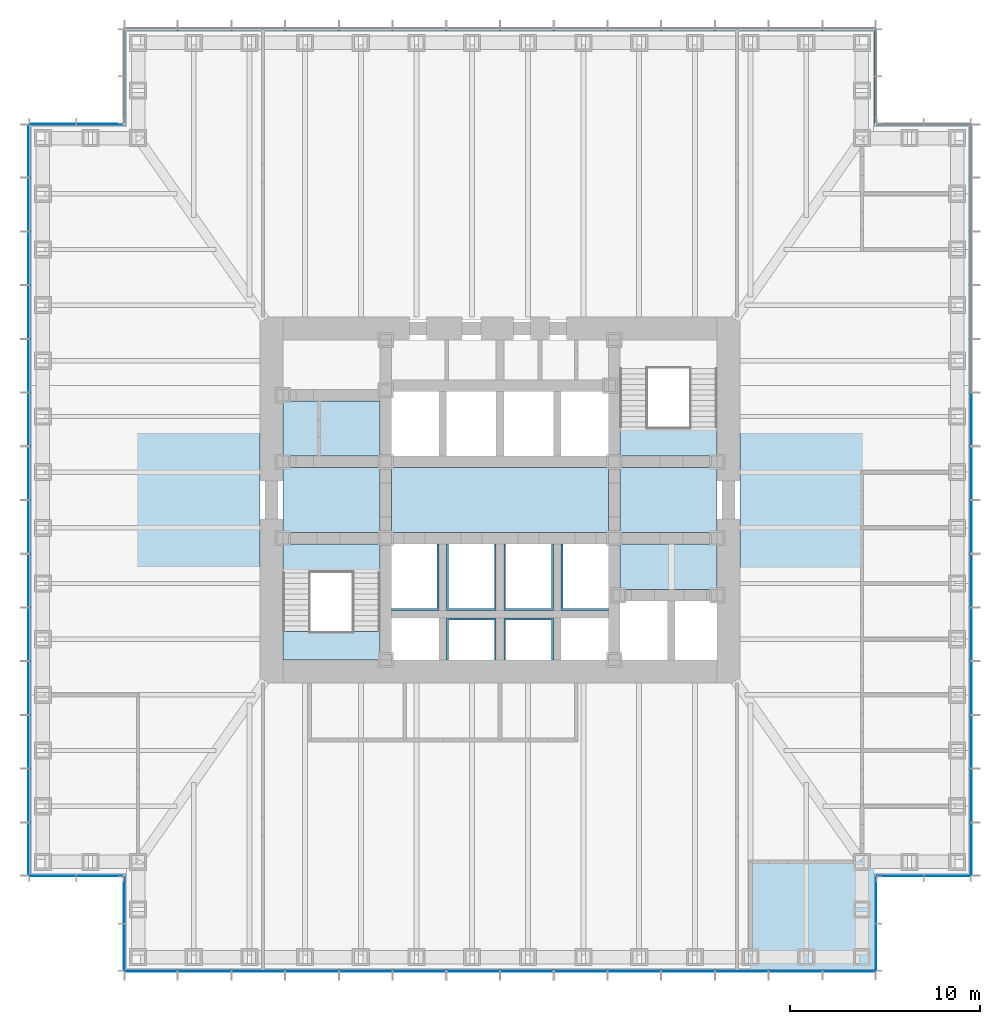
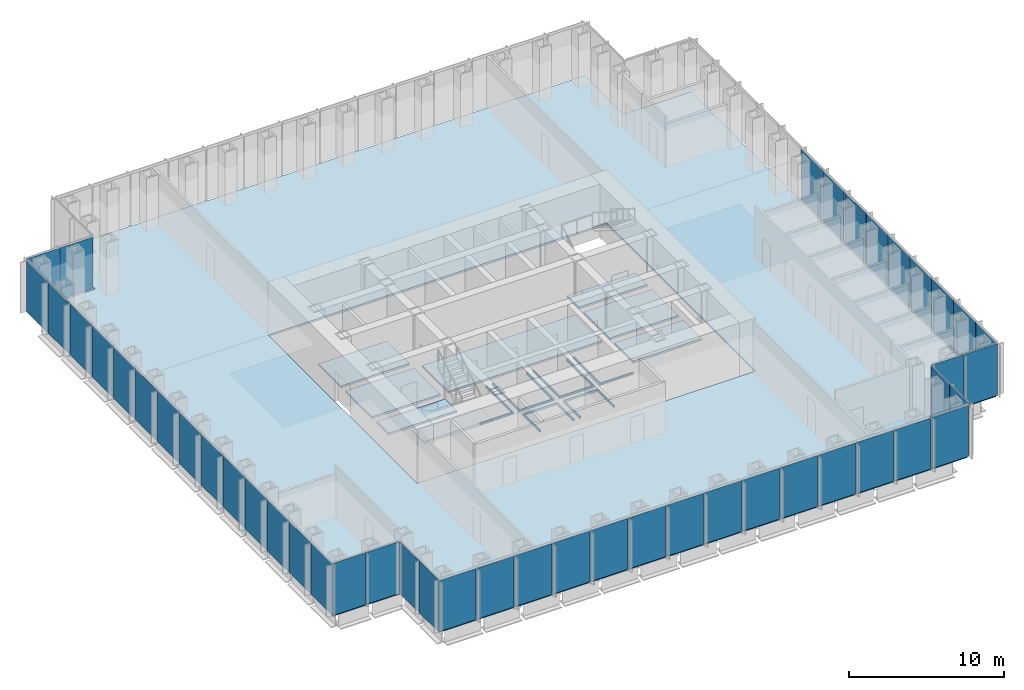
# One storey, part 7 of 16: 47 plates, 15 slabs, 9 elements without a shape of their own.
"""IFC4 building model written with IfcOpenShell, lengths in metres."""

from ifc_helpers import new_model, si_unit, direction, frame, origin, origin_2d, place, context, subcontext, project, spatial, polyline, rectangle, outline, extrude, material, layer, layer_set, type_object, element, aggregate, save


model = new_model("IFC4")

# Units and contexts
model_context = context("Model", 3, precision=1e-05, world=origin(), true_north=direction((0.0, 1.0)))
body_context = subcontext(model_context, "Body", "Model", "MODEL_VIEW")
ifc_project = project(units=[si_unit("LENGTHUNIT", "METRE"), si_unit("AREAUNIT", "SQUARE_METRE"), si_unit("VOLUMEUNIT", "CUBIC_METRE"), si_unit("PLANEANGLEUNIT", "RADIAN"), si_unit("MASSUNIT", "GRAM", prefix="KILO")], contexts=[model_context])

# Site, building, storey
site_placement = place(None, origin())
site = spatial("IfcSite", under=ifc_project, at=site_placement, CompositionType="ELEMENT")
building_placement = place(site_placement, origin())
building = spatial("IfcBuilding", under=site, at=building_placement, Name="Daluyong Arena Tower", CompositionType="ELEMENT")
storey_placement = place(building_placement, frame((0.0, 0.0, 72.699951171875)))
storey = spatial("IfcBuildingStorey", under=building, at=storey_placement, Name="L15", CompositionType="ELEMENT", Elevation=72.699951171875)

# Curtain wall, plates
ifc_material_1 = material(Name="Bronze anodised aluminium and glass", Category="aluminium")
curtain_wall_type_1 = type_object("IfcCurtainWallType", Name="Curtain wall CW1", PredefinedType="USERDEFINED", material=ifc_material_1)
curtain_wall_1_placement = place(storey_placement, origin())
curtain_wall_1 = element("IfcCurtainWall", 1, at=curtain_wall_1_placement, inside=storey, type_object=curtain_wall_type_1, Name="curtain wall L15 S", ObjectType="UNITISED CURTAIN WALL", PredefinedType="USERDEFINED")
ifc_material_2 = material(Name="Tinted double glazed unit", Category="glass")
ifc_layer_1 = layer(ifc_material_2, 0.031982421875)
ifc_layer_set_1 = layer_set([ifc_layer_1], Name="Tinted double glazed unit")
plate_type_1 = type_object("IfcPlateType", Name="CW1 panel 32", PredefinedType="CURTAIN_PANEL", material=ifc_layer_set_1)
plate_1_placement = place(storey_placement, frame((37.6806640625, 55.25, 0.0), z_axis=(0.0, 0.0, 1.0), x_axis=(1.0, 0.0, 0.0)))
plate_1 = element("IfcPlate", 2, at=plate_1_placement, type_object=plate_type_1, Name="curtain wall L15 S panel 1", PredefinedType="CURTAIN_PANEL", context=body_context, shape_type="SweptSolid", body=[
    extrude(rectangle(XDim=2.701416015625, YDim=0.031982421875, at=origin_2d()), origin(), (0.0, 0.0, 1.0), 4.0),
])
plate_2_placement = place(storey_placement, frame((40.482177734375, 55.25, 0.0), z_axis=(0.0, 0.0, 1.0), x_axis=(1.0, 0.0, 0.0)))
plate_2 = element("IfcPlate", 3, at=plate_2_placement, type_object=plate_type_1, Name="curtain wall L15 S panel 2", PredefinedType="CURTAIN_PANEL", context=body_context, shape_type="SweptSolid", body=[
    extrude(rectangle(XDim=2.741455078125, YDim=0.031982421875, at=origin_2d()), origin(), (0.0, 0.0, 1.0), 4.0),
])
plate_3_placement = place(storey_placement, frame((43.303466796875, 55.25, 0.0), z_axis=(0.0, 0.0, 1.0), x_axis=(1.0, 0.0, 0.0)))
plate_3 = element("IfcPlate", 4, at=plate_3_placement, type_object=plate_type_1, Name="curtain wall L15 S panel 3", PredefinedType="CURTAIN_PANEL", context=body_context, shape_type="SweptSolid", body=[
    extrude(rectangle(XDim=2.741455078125, YDim=0.031982421875, at=origin_2d()), origin(), (0.0, 0.0, 1.0), 4.0),
])
plate_4_placement = place(storey_placement, frame((46.125, 55.25, 0.0), z_axis=(0.0, 0.0, 1.0), x_axis=(1.0, 0.0, 0.0)))
plate_4 = element("IfcPlate", 5, at=plate_4_placement, type_object=plate_type_1, Name="curtain wall L15 S panel 4", PredefinedType="CURTAIN_PANEL", context=body_context, shape_type="SweptSolid", body=[
    extrude(rectangle(XDim=2.741455078125, YDim=0.031982421875, at=origin_2d()), origin(), (0.0, 0.0, 1.0), 4.0),
])
plate_5_placement = place(storey_placement, frame((48.946533203125, 55.25, 0.0), z_axis=(0.0, 0.0, 1.0), x_axis=(1.0, 0.0, 0.0)))
plate_5 = element("IfcPlate", 6, at=plate_5_placement, type_object=plate_type_1, Name="curtain wall L15 S panel 5", PredefinedType="CURTAIN_PANEL", context=body_context, shape_type="SweptSolid", body=[
    extrude(rectangle(XDim=2.741455078125, YDim=0.031982421875, at=origin_2d()), origin(), (0.0, 0.0, 1.0), 4.0),
])
plate_6_placement = place(storey_placement, frame((51.767822265625, 55.25, 0.0), z_axis=(0.0, 0.0, 1.0), x_axis=(1.0, 0.0, 0.0)))
plate_6 = element("IfcPlate", 7, at=plate_6_placement, type_object=plate_type_1, Name="curtain wall L15 S panel 6", PredefinedType="CURTAIN_PANEL", context=body_context, shape_type="SweptSolid", body=[
    extrude(rectangle(XDim=2.741455078125, YDim=0.031982421875, at=origin_2d()), origin(), (0.0, 0.0, 1.0), 4.0),
])
plate_7_placement = place(storey_placement, frame((54.58935546875, 55.25, 0.0), z_axis=(0.0, 0.0, 1.0), x_axis=(1.0, 0.0, 0.0)))
plate_7 = element("IfcPlate", 8, at=plate_7_placement, type_object=plate_type_1, Name="curtain wall L15 S panel 7", PredefinedType="CURTAIN_PANEL", context=body_context, shape_type="SweptSolid", body=[
    extrude(rectangle(XDim=2.741455078125, YDim=0.031982421875, at=origin_2d()), origin(), (0.0, 0.0, 1.0), 4.0),
])
plate_8_placement = place(storey_placement, frame((57.41064453125, 55.25, 0.0), z_axis=(0.0, 0.0, 1.0), x_axis=(1.0, 0.0, 0.0)))
plate_8 = element("IfcPlate", 9, at=plate_8_placement, type_object=plate_type_1, Name="curtain wall L15 S panel 8", PredefinedType="CURTAIN_PANEL", context=body_context, shape_type="SweptSolid", body=[
    extrude(rectangle(XDim=2.741455078125, YDim=0.031982421875, at=origin_2d()), origin(), (0.0, 0.0, 1.0), 4.0),
])
plate_9_placement = place(storey_placement, frame((60.232177734375, 55.25, 0.0), z_axis=(0.0, 0.0, 1.0), x_axis=(1.0, 0.0, 0.0)))
plate_9 = element("IfcPlate", 10, at=plate_9_placement, type_object=plate_type_1, Name="curtain wall L15 S panel 9", PredefinedType="CURTAIN_PANEL", context=body_context, shape_type="SweptSolid", body=[
    extrude(rectangle(XDim=2.741455078125, YDim=0.031982421875, at=origin_2d()), origin(), (0.0, 0.0, 1.0), 4.0),
])
plate_10_placement = place(storey_placement, frame((63.053466796875, 55.25, 0.0), z_axis=(0.0, 0.0, 1.0), x_axis=(1.0, 0.0, 0.0)))
plate_10 = element("IfcPlate", 11, at=plate_10_placement, type_object=plate_type_1, Name="curtain wall L15 S panel 10", PredefinedType="CURTAIN_PANEL", context=body_context, shape_type="SweptSolid", body=[
    extrude(rectangle(XDim=2.741455078125, YDim=0.031982421875, at=origin_2d()), origin(), (0.0, 0.0, 1.0), 4.0),
])
plate_11_placement = place(storey_placement, frame((65.875, 55.25, 0.0), z_axis=(0.0, 0.0, 1.0), x_axis=(1.0, 0.0, 0.0)))
plate_11 = element("IfcPlate", 12, at=plate_11_placement, type_object=plate_type_1, Name="curtain wall L15 S panel 11", PredefinedType="CURTAIN_PANEL", context=body_context, shape_type="SweptSolid", body=[
    extrude(rectangle(XDim=2.741455078125, YDim=0.031982421875, at=origin_2d()), origin(), (0.0, 0.0, 1.0), 4.0),
])
plate_12_placement = place(storey_placement, frame((68.696533203125, 55.25, 0.0), z_axis=(0.0, 0.0, 1.0), x_axis=(1.0, 0.0, 0.0)))
plate_12 = element("IfcPlate", 13, at=plate_12_placement, type_object=plate_type_1, Name="curtain wall L15 S panel 12", PredefinedType="CURTAIN_PANEL", context=body_context, shape_type="SweptSolid", body=[
    extrude(rectangle(XDim=2.741455078125, YDim=0.031982421875, at=origin_2d()), origin(), (0.0, 0.0, 1.0), 4.0),
])
plate_13_placement = place(storey_placement, frame((71.517822265625, 55.25, 0.0), z_axis=(0.0, 0.0, 1.0), x_axis=(1.0, 0.0, 0.0)))
plate_13 = element("IfcPlate", 14, at=plate_13_placement, type_object=plate_type_1, Name="curtain wall L15 S panel 13", PredefinedType="CURTAIN_PANEL", context=body_context, shape_type="SweptSolid", body=[
    extrude(rectangle(XDim=2.741455078125, YDim=0.031982421875, at=origin_2d()), origin(), (0.0, 0.0, 1.0), 4.0),
])
plate_14_placement = place(storey_placement, frame((74.3193359375, 55.25, 0.0), z_axis=(0.0, 0.0, 1.0), x_axis=(1.0, 0.0, 0.0)))
plate_14 = element("IfcPlate", 15, at=plate_14_placement, type_object=plate_type_1, Name="curtain wall L15 S panel 14", PredefinedType="CURTAIN_PANEL", context=body_context, shape_type="SweptSolid", body=[
    extrude(rectangle(XDim=2.701416015625, YDim=0.031982421875, at=origin_2d()), origin(), (0.0, 0.0, 1.0), 4.0),
])
aggregate(curtain_wall_1, [plate_1, plate_2, plate_3, plate_4, plate_5, plate_6, plate_7, plate_8, plate_9, plate_10, plate_11, plate_12, plate_13, plate_14])

curtain_wall_2_placement = place(storey_placement, origin())
curtain_wall_2 = element("IfcCurtainWall", 16, at=curtain_wall_2_placement, inside=storey, type_object=curtain_wall_type_1, Name="curtain wall L15 E", ObjectType="UNITISED CURTAIN WALL", PredefinedType="USERDEFINED")
plate_15_placement = place(storey_placement, frame((80.75, 61.6806640625, 0.0), z_axis=(0.0, 0.0, 1.0), x_axis=(0.0, 1.0, 0.0)))
plate_15 = element("IfcPlate", 17, at=plate_15_placement, type_object=plate_type_1, Name="curtain wall L15 E panel 1", PredefinedType="CURTAIN_PANEL", context=body_context, shape_type="SweptSolid", body=[
    extrude(rectangle(XDim=2.701416015625, YDim=0.031982421875, at=origin_2d()), origin(), (0.0, 0.0, 1.0), 4.0),
])
plate_16_placement = place(storey_placement, frame((80.75, 64.482177734375, 0.0), z_axis=(0.0, 0.0, 1.0), x_axis=(0.0, 1.0, 0.0)))
plate_16 = element("IfcPlate", 18, at=plate_16_placement, type_object=plate_type_1, Name="curtain wall L15 E panel 2", PredefinedType="CURTAIN_PANEL", context=body_context, shape_type="SweptSolid", body=[
    extrude(rectangle(XDim=2.741455078125, YDim=0.031982421875, at=origin_2d()), origin(), (0.0, 0.0, 1.0), 4.0),
])
plate_17_placement = place(storey_placement, frame((80.75, 67.303466796875, 0.0), z_axis=(0.0, 0.0, 1.0), x_axis=(0.0, 1.0, 0.0)))
plate_17 = element("IfcPlate", 19, at=plate_17_placement, type_object=plate_type_1, Name="curtain wall L15 E panel 3", PredefinedType="CURTAIN_PANEL", context=body_context, shape_type="SweptSolid", body=[
    extrude(rectangle(XDim=2.741455078125, YDim=0.031982421875, at=origin_2d()), origin(), (0.0, 0.0, 1.0), 4.0),
])
plate_18_placement = place(storey_placement, frame((80.75, 70.125, 0.0), z_axis=(0.0, 0.0, 1.0), x_axis=(0.0, 1.0, 0.0)))
plate_18 = element("IfcPlate", 20, at=plate_18_placement, type_object=plate_type_1, Name="curtain wall L15 E panel 4", PredefinedType="CURTAIN_PANEL", context=body_context, shape_type="SweptSolid", body=[
    extrude(rectangle(XDim=2.741455078125, YDim=0.031982421875, at=origin_2d()), origin(), (0.0, 0.0, 1.0), 4.0),
])
plate_19_placement = place(storey_placement, frame((80.75, 72.946533203125, 0.0), z_axis=(0.0, 0.0, 1.0), x_axis=(0.0, 1.0, 0.0)))
plate_19 = element("IfcPlate", 21, at=plate_19_placement, type_object=plate_type_1, Name="curtain wall L15 E panel 5", PredefinedType="CURTAIN_PANEL", context=body_context, shape_type="SweptSolid", body=[
    extrude(rectangle(XDim=2.741455078125, YDim=0.031982421875, at=origin_2d()), origin(), (0.0, 0.0, 1.0), 4.0),
])
plate_20_placement = place(storey_placement, frame((80.75, 75.767822265625, 0.0), z_axis=(0.0, 0.0, 1.0), x_axis=(0.0, 1.0, 0.0)))
plate_20 = element("IfcPlate", 22, at=plate_20_placement, type_object=plate_type_1, Name="curtain wall L15 E panel 6", PredefinedType="CURTAIN_PANEL", context=body_context, shape_type="SweptSolid", body=[
    extrude(rectangle(XDim=2.741455078125, YDim=0.031982421875, at=origin_2d()), origin(), (0.0, 0.0, 1.0), 4.0),
])
plate_21_placement = place(storey_placement, frame((80.75, 78.58935546875, 0.0), z_axis=(0.0, 0.0, 1.0), x_axis=(0.0, 1.0, 0.0)))
plate_21 = element("IfcPlate", 23, at=plate_21_placement, type_object=plate_type_1, Name="curtain wall L15 E panel 7", PredefinedType="CURTAIN_PANEL", context=body_context, shape_type="SweptSolid", body=[
    extrude(rectangle(XDim=2.741455078125, YDim=0.031982421875, at=origin_2d()), origin(), (0.0, 0.0, 1.0), 4.0),
])
plate_22_placement = place(storey_placement, frame((80.75, 81.41064453125, 0.0), z_axis=(0.0, 0.0, 1.0), x_axis=(0.0, 1.0, 0.0)))
plate_22 = element("IfcPlate", 24, at=plate_22_placement, type_object=plate_type_1, Name="curtain wall L15 E panel 8", PredefinedType="CURTAIN_PANEL", context=body_context, shape_type="SweptSolid", body=[
    extrude(rectangle(XDim=2.741455078125, YDim=0.031982421875, at=origin_2d()), origin(), (0.0, 0.0, 1.0), 4.0),
])
plate_23_placement = place(storey_placement, frame((80.75, 84.232177734375, 0.0), z_axis=(0.0, 0.0, 1.0), x_axis=(0.0, 1.0, 0.0)))
plate_23 = element("IfcPlate", 25, at=plate_23_placement, type_object=plate_type_1, Name="curtain wall L15 E panel 9", PredefinedType="CURTAIN_PANEL", context=body_context, shape_type="SweptSolid", body=[
    extrude(rectangle(XDim=2.741455078125, YDim=0.031982421875, at=origin_2d()), origin(), (0.0, 0.0, 1.0), 4.0),
])
aggregate(curtain_wall_2, [plate_15, plate_16, plate_17, plate_18, plate_19, plate_20, plate_21, plate_22, plate_23])

curtain_wall_3_placement = place(storey_placement, origin())
curtain_wall_3 = element("IfcCurtainWall", 26, at=curtain_wall_3_placement, inside=storey, type_object=curtain_wall_type_1, Name="curtain wall L15 W", ObjectType="UNITISED CURTAIN WALL", PredefinedType="USERDEFINED")
plate_24_placement = place(storey_placement, frame((31.25, 98.3193359375, 0.0), z_axis=(0.0, 0.0, 1.0), x_axis=(0.0, -1.0, 0.0)))
plate_24 = element("IfcPlate", 27, at=plate_24_placement, type_object=plate_type_1, Name="curtain wall L15 W panel 1", PredefinedType="CURTAIN_PANEL", context=body_context, shape_type="SweptSolid", body=[
    extrude(rectangle(XDim=2.701416015625, YDim=0.031982421875, at=origin_2d()), origin(), (0.0, 0.0, 1.0), 4.0),
])
plate_25_placement = place(storey_placement, frame((31.25, 95.517822265625, 0.0), z_axis=(0.0, 0.0, 1.0), x_axis=(0.0, -1.0, 0.0)))
plate_25 = element("IfcPlate", 28, at=plate_25_placement, type_object=plate_type_1, Name="curtain wall L15 W panel 2", PredefinedType="CURTAIN_PANEL", context=body_context, shape_type="SweptSolid", body=[
    extrude(rectangle(XDim=2.741455078125, YDim=0.031982421875, at=origin_2d()), origin(), (0.0, 0.0, 1.0), 4.0),
])
plate_26_placement = place(storey_placement, frame((31.25, 92.696533203125, 0.0), z_axis=(0.0, 0.0, 1.0), x_axis=(0.0, -1.0, 0.0)))
plate_26 = element("IfcPlate", 29, at=plate_26_placement, type_object=plate_type_1, Name="curtain wall L15 W panel 3", PredefinedType="CURTAIN_PANEL", context=body_context, shape_type="SweptSolid", body=[
    extrude(rectangle(XDim=2.741455078125, YDim=0.031982421875, at=origin_2d()), origin(), (0.0, 0.0, 1.0), 4.0),
])
plate_27_placement = place(storey_placement, frame((31.25, 89.875, 0.0), z_axis=(0.0, 0.0, 1.0), x_axis=(0.0, -1.0, 0.0)))
plate_27 = element("IfcPlate", 30, at=plate_27_placement, type_object=plate_type_1, Name="curtain wall L15 W panel 4", PredefinedType="CURTAIN_PANEL", context=body_context, shape_type="SweptSolid", body=[
    extrude(rectangle(XDim=2.741455078125, YDim=0.031982421875, at=origin_2d()), origin(), (0.0, 0.0, 1.0), 4.0),
])
plate_28_placement = place(storey_placement, frame((31.25, 87.053466796875, 0.0), z_axis=(0.0, 0.0, 1.0), x_axis=(0.0, -1.0, 0.0)))
plate_28 = element("IfcPlate", 31, at=plate_28_placement, type_object=plate_type_1, Name="curtain wall L15 W panel 5", PredefinedType="CURTAIN_PANEL", context=body_context, shape_type="SweptSolid", body=[
    extrude(rectangle(XDim=2.741455078125, YDim=0.031982421875, at=origin_2d()), origin(), (0.0, 0.0, 1.0), 4.0),
])
plate_29_placement = place(storey_placement, frame((31.25, 84.232177734375, 0.0), z_axis=(0.0, 0.0, 1.0), x_axis=(0.0, -1.0, 0.0)))
plate_29 = element("IfcPlate", 32, at=plate_29_placement, type_object=plate_type_1, Name="curtain wall L15 W panel 6", PredefinedType="CURTAIN_PANEL", context=body_context, shape_type="SweptSolid", body=[
    extrude(rectangle(XDim=2.741455078125, YDim=0.031982421875, at=origin_2d()), origin(), (0.0, 0.0, 1.0), 4.0),
])
plate_30_placement = place(storey_placement, frame((31.25, 81.41064453125, 0.0), z_axis=(0.0, 0.0, 1.0), x_axis=(0.0, -1.0, 0.0)))
plate_30 = element("IfcPlate", 33, at=plate_30_placement, type_object=plate_type_1, Name="curtain wall L15 W panel 7", PredefinedType="CURTAIN_PANEL", context=body_context, shape_type="SweptSolid", body=[
    extrude(rectangle(XDim=2.741455078125, YDim=0.031982421875, at=origin_2d()), origin(), (0.0, 0.0, 1.0), 4.0),
])
plate_31_placement = place(storey_placement, frame((31.25, 78.58935546875, 0.0), z_axis=(0.0, 0.0, 1.0), x_axis=(0.0, -1.0, 0.0)))
plate_31 = element("IfcPlate", 34, at=plate_31_placement, type_object=plate_type_1, Name="curtain wall L15 W panel 8", PredefinedType="CURTAIN_PANEL", context=body_context, shape_type="SweptSolid", body=[
    extrude(rectangle(XDim=2.741455078125, YDim=0.031982421875, at=origin_2d()), origin(), (0.0, 0.0, 1.0), 4.0),
])
plate_32_placement = place(storey_placement, frame((31.25, 75.767822265625, 0.0), z_axis=(0.0, 0.0, 1.0), x_axis=(0.0, -1.0, 0.0)))
plate_32 = element("IfcPlate", 35, at=plate_32_placement, type_object=plate_type_1, Name="curtain wall L15 W panel 9", PredefinedType="CURTAIN_PANEL", context=body_context, shape_type="SweptSolid", body=[
    extrude(rectangle(XDim=2.741455078125, YDim=0.031982421875, at=origin_2d()), origin(), (0.0, 0.0, 1.0), 4.0),
])
plate_33_placement = place(storey_placement, frame((31.25, 72.946533203125, 0.0), z_axis=(0.0, 0.0, 1.0), x_axis=(0.0, -1.0, 0.0)))
plate_33 = element("IfcPlate", 36, at=plate_33_placement, type_object=plate_type_1, Name="curtain wall L15 W panel 10", PredefinedType="CURTAIN_PANEL", context=body_context, shape_type="SweptSolid", body=[
    extrude(rectangle(XDim=2.741455078125, YDim=0.031982421875, at=origin_2d()), origin(), (0.0, 0.0, 1.0), 4.0),
])
plate_34_placement = place(storey_placement, frame((31.25, 70.125, 0.0), z_axis=(0.0, 0.0, 1.0), x_axis=(0.0, -1.0, 0.0)))
plate_34 = element("IfcPlate", 37, at=plate_34_placement, type_object=plate_type_1, Name="curtain wall L15 W panel 11", PredefinedType="CURTAIN_PANEL", context=body_context, shape_type="SweptSolid", body=[
    extrude(rectangle(XDim=2.741455078125, YDim=0.031982421875, at=origin_2d()), origin(), (0.0, 0.0, 1.0), 4.0),
])
plate_35_placement = place(storey_placement, frame((31.25, 67.303466796875, 0.0), z_axis=(0.0, 0.0, 1.0), x_axis=(0.0, -1.0, 0.0)))
plate_35 = element("IfcPlate", 38, at=plate_35_placement, type_object=plate_type_1, Name="curtain wall L15 W panel 12", PredefinedType="CURTAIN_PANEL", context=body_context, shape_type="SweptSolid", body=[
    extrude(rectangle(XDim=2.741455078125, YDim=0.031982421875, at=origin_2d()), origin(), (0.0, 0.0, 1.0), 4.0),
])
plate_36_placement = place(storey_placement, frame((31.25, 64.482177734375, 0.0), z_axis=(0.0, 0.0, 1.0), x_axis=(0.0, -1.0, 0.0)))
plate_36 = element("IfcPlate", 39, at=plate_36_placement, type_object=plate_type_1, Name="curtain wall L15 W panel 13", PredefinedType="CURTAIN_PANEL", context=body_context, shape_type="SweptSolid", body=[
    extrude(rectangle(XDim=2.741455078125, YDim=0.031982421875, at=origin_2d()), origin(), (0.0, 0.0, 1.0), 4.0),
])
plate_37_placement = place(storey_placement, frame((31.25, 61.6806640625, 0.0), z_axis=(0.0, 0.0, 1.0), x_axis=(0.0, -1.0, 0.0)))
plate_37 = element("IfcPlate", 40, at=plate_37_placement, type_object=plate_type_1, Name="curtain wall L15 W panel 14", PredefinedType="CURTAIN_PANEL", context=body_context, shape_type="SweptSolid", body=[
    extrude(rectangle(XDim=2.701416015625, YDim=0.031982421875, at=origin_2d()), origin(), (0.0, 0.0, 1.0), 4.0),
])
aggregate(curtain_wall_3, [plate_24, plate_25, plate_26, plate_27, plate_28, plate_29, plate_30, plate_31, plate_32, plate_33, plate_34, plate_35, plate_36, plate_37])

ifc_material_3 = material(Name="Bronze anodised aluminium and glass", Category="aluminium")
curtain_wall_type_2 = type_object("IfcCurtainWallType", Name="Curtain wall CW7", PredefinedType="USERDEFINED", material=ifc_material_3)
curtain_wall_4_placement = place(storey_placement, origin())
curtain_wall_4 = element("IfcCurtainWall", 41, at=curtain_wall_4_placement, inside=storey, type_object=curtain_wall_type_2, Name="curtain wall L15 SE-E", ObjectType="UNITISED CURTAIN WALL", PredefinedType="USERDEFINED")
ifc_material_4 = material(Name="Tinted double glazed unit", Category="glass")
ifc_layer_2 = layer(ifc_material_4, 0.028076171875)
ifc_layer_set_2 = layer_set([ifc_layer_2], Name="Tinted double glazed unit")
plate_type_2 = type_object("IfcPlateType", Name="CW7 panel 28", PredefinedType="CURTAIN_PANEL", material=ifc_layer_set_2)
plate_38_placement = place(storey_placement, frame((75.75, 56.514892578125, 0.0), z_axis=(0.0, 0.0, 1.0), x_axis=(0.0, 1.0, 0.0)))
plate_38 = element("IfcPlate", 42, at=plate_38_placement, type_object=plate_type_2, Name="curtain wall L15 SE-E panel 1", PredefinedType="CURTAIN_PANEL", context=body_context, shape_type="SweptSolid", body=[
    extrude(rectangle(XDim=2.409912109375, YDim=0.028076171875, at=origin_2d()), origin(), (0.0, 0.0, 1.0), 4.080078125),
])
plate_39_placement = place(storey_placement, frame((75.75, 58.985107421875, 0.0), z_axis=(0.0, 0.0, 1.0), x_axis=(0.0, 1.0, 0.0)))
plate_39 = element("IfcPlate", 43, at=plate_39_placement, type_object=plate_type_2, Name="curtain wall L15 SE-E panel 2", PredefinedType="CURTAIN_PANEL", context=body_context, shape_type="SweptSolid", body=[
    extrude(rectangle(XDim=2.409912109375, YDim=0.028076171875, at=origin_2d()), origin(), (0.0, 0.0, 1.0), 4.080078125),
])
aggregate(curtain_wall_4, [plate_38, plate_39])

curtain_wall_5_placement = place(storey_placement, origin())
curtain_wall_5 = element("IfcCurtainWall", 44, at=curtain_wall_5_placement, inside=storey, type_object=curtain_wall_type_2, Name="curtain wall L15 SE-S", ObjectType="UNITISED CURTAIN WALL", PredefinedType="USERDEFINED")
plate_40_placement = place(storey_placement, frame((77.014892578125, 60.25, 0.0), z_axis=(0.0, 0.0, 1.0), x_axis=(1.0, 0.0, 0.0)))
plate_40 = element("IfcPlate", 45, at=plate_40_placement, type_object=plate_type_2, Name="curtain wall L15 SE-S panel 1", PredefinedType="CURTAIN_PANEL", context=body_context, shape_type="SweptSolid", body=[
    extrude(rectangle(XDim=2.409912109375, YDim=0.028076171875, at=origin_2d()), origin(), (0.0, 0.0, 1.0), 4.080078125),
])
plate_41_placement = place(storey_placement, frame((79.485107421875, 60.25, 0.0), z_axis=(0.0, 0.0, 1.0), x_axis=(1.0, 0.0, 0.0)))
plate_41 = element("IfcPlate", 46, at=plate_41_placement, type_object=plate_type_2, Name="curtain wall L15 SE-S panel 2", PredefinedType="CURTAIN_PANEL", context=body_context, shape_type="SweptSolid", body=[
    extrude(rectangle(XDim=2.409912109375, YDim=0.028076171875, at=origin_2d()), origin(), (0.0, 0.0, 1.0), 4.080078125),
])
aggregate(curtain_wall_5, [plate_40, plate_41])

curtain_wall_6_placement = place(storey_placement, origin())
curtain_wall_6 = element("IfcCurtainWall", 47, at=curtain_wall_6_placement, inside=storey, type_object=curtain_wall_type_2, Name="curtain wall L15 NW-N", ObjectType="UNITISED CURTAIN WALL", PredefinedType="USERDEFINED")
plate_42_placement = place(storey_placement, frame((34.985107421875, 99.75, 0.0), z_axis=(0.0, 0.0, 1.0), x_axis=(-1.0, 0.0, 0.0)))
plate_42 = element("IfcPlate", 48, at=plate_42_placement, type_object=plate_type_2, Name="curtain wall L15 NW-N panel 1", PredefinedType="CURTAIN_PANEL", context=body_context, shape_type="SweptSolid", body=[
    extrude(rectangle(XDim=2.409912109375, YDim=0.028076171875, at=origin_2d()), origin(), (0.0, 0.0, 1.0), 4.080078125),
])
plate_43_placement = place(storey_placement, frame((32.514892578125, 99.75, 0.0), z_axis=(0.0, 0.0, 1.0), x_axis=(-1.0, 0.0, 0.0)))
plate_43 = element("IfcPlate", 49, at=plate_43_placement, type_object=plate_type_2, Name="curtain wall L15 NW-N panel 2", PredefinedType="CURTAIN_PANEL", context=body_context, shape_type="SweptSolid", body=[
    extrude(rectangle(XDim=2.409912109375, YDim=0.028076171875, at=origin_2d()), origin(), (0.0, 0.0, 1.0), 4.080078125),
])
aggregate(curtain_wall_6, [plate_42, plate_43])

curtain_wall_7_placement = place(storey_placement, origin())
curtain_wall_7 = element("IfcCurtainWall", 50, at=curtain_wall_7_placement, inside=storey, type_object=curtain_wall_type_2, Name="curtain wall L15 SW-S", ObjectType="UNITISED CURTAIN WALL", PredefinedType="USERDEFINED")
plate_44_placement = place(storey_placement, frame((32.514892578125, 60.25, 0.0), z_axis=(0.0, 0.0, 1.0), x_axis=(1.0, 0.0, 0.0)))
plate_44 = element("IfcPlate", 51, at=plate_44_placement, type_object=plate_type_2, Name="curtain wall L15 SW-S panel 1", PredefinedType="CURTAIN_PANEL", context=body_context, shape_type="SweptSolid", body=[
    extrude(rectangle(XDim=2.409912109375, YDim=0.028076171875, at=origin_2d()), origin(), (0.0, 0.0, 1.0), 4.080078125),
])
plate_45_placement = place(storey_placement, frame((34.985107421875, 60.25, 0.0), z_axis=(0.0, 0.0, 1.0), x_axis=(1.0, 0.0, 0.0)))
plate_45 = element("IfcPlate", 52, at=plate_45_placement, type_object=plate_type_2, Name="curtain wall L15 SW-S panel 2", PredefinedType="CURTAIN_PANEL", context=body_context, shape_type="SweptSolid", body=[
    extrude(rectangle(XDim=2.409912109375, YDim=0.028076171875, at=origin_2d()), origin(), (0.0, 0.0, 1.0), 4.080078125),
])
aggregate(curtain_wall_7, [plate_44, plate_45])

curtain_wall_8_placement = place(storey_placement, origin())
curtain_wall_8 = element("IfcCurtainWall", 53, at=curtain_wall_8_placement, inside=storey, type_object=curtain_wall_type_2, Name="curtain wall L15 SW-W", ObjectType="UNITISED CURTAIN WALL", PredefinedType="USERDEFINED")
plate_46_placement = place(storey_placement, frame((36.25, 58.985107421875, 0.0), z_axis=(0.0, 0.0, 1.0), x_axis=(0.0, -1.0, 0.0)))
plate_46 = element("IfcPlate", 54, at=plate_46_placement, type_object=plate_type_2, Name="curtain wall L15 SW-W panel 1", PredefinedType="CURTAIN_PANEL", context=body_context, shape_type="SweptSolid", body=[
    extrude(rectangle(XDim=2.409912109375, YDim=0.028076171875, at=origin_2d()), origin(), (0.0, 0.0, 1.0), 4.080078125),
])
plate_47_placement = place(storey_placement, frame((36.25, 56.514892578125, 0.0), z_axis=(0.0, 0.0, 1.0), x_axis=(0.0, -1.0, 0.0)))
plate_47 = element("IfcPlate", 55, at=plate_47_placement, type_object=plate_type_2, Name="curtain wall L15 SW-W panel 2", PredefinedType="CURTAIN_PANEL", context=body_context, shape_type="SweptSolid", body=[
    extrude(rectangle(XDim=2.409912109375, YDim=0.028076171875, at=origin_2d()), origin(), (0.0, 0.0, 1.0), 4.080078125),
])
aggregate(curtain_wall_8, [plate_46, plate_47])

# Stair, slab
ifc_material_5 = material(Name="Concrete fc' 35 MPa", Category="concrete")
stair_type = type_object("IfcStairType", Name="Core exit stair", PredefinedType="HALF_TURN_STAIR", material=ifc_material_5)
stair_placement = place(storey_placement, origin())
stair = element("IfcStair", 56, at=stair_placement, inside=storey, type_object=stair_type, Name="exit stair A L15", PredefinedType="HALF_TURN_STAIR")
ifc_material_6 = material(Name="Concrete fc' 35 MPa", Category="concrete")
ifc_layer_3 = layer(ifc_material_6, 0.199951171875)
ifc_layer_set_3 = layer_set([ifc_layer_3], Name="Concrete fc' 35 MPa")
slab_type_1 = type_object("IfcSlabType", Name="Stair landing 200", PredefinedType="LANDING", material=ifc_layer_set_3)
slab_1_placement = place(storey_placement, frame((0.0, 0.0, 1.900146484375)))
slab_1 = element("IfcSlab", 57, at=slab_1_placement, type_object=slab_type_1, Name="STA landing 1", PredefinedType="LANDING", context=body_context, shape_type="SweptSolid", body=[
    extrude(outline(polyline([(44.60009765625, 71.60009765625), (49.699951171875, 71.60009765625), (49.699951171875, 73.094970703125), (44.60009765625, 73.094970703125), (44.60009765625, 71.60009765625)])), origin(), (0.0, 0.0, 1.0), 0.199951171875),
])
aggregate(stair, [slab_1])

# Slabs
ifc_material_7 = material(Name="Concrete fc' 35 MPa", Category="concrete")
ifc_layer_4 = layer(ifc_material_7, 0.159912109375)
ifc_layer_set_4 = layer_set([ifc_layer_4], Name="Concrete fc' 35 MPa")
slab_type_2 = type_object("IfcSlabType", Name="Tower floor slab 160", PredefinedType="FLOOR", material=ifc_layer_set_4)
slab_2_placement = place(storey_placement, frame((0.0, 0.0, -0.159912109375)))
element("IfcSlab", 58, at=slab_2_placement, inside=storey, type_object=slab_type_2, Name="floor L15 part 1", PredefinedType="FLOOR", context=body_context, shape_type="SweptSolid", body=[
    extrude(outline(polyline([(49.699951171875, 76.175048828125), (49.699951171875, 77.699951171875), (44.60009765625, 77.699951171875), (44.60009765625, 76.175048828125), (49.699951171875, 76.175048828125)])), origin(), (0.0, 0.0, 1.0), 0.159912109375),
])
slab_3_placement = place(storey_placement, frame((0.0, 0.0, -0.159912109375)))
element("IfcSlab", 59, at=slab_3_placement, inside=storey, type_object=slab_type_2, Name="floor L15 part 2", PredefinedType="FLOOR", context=body_context, shape_type="SweptSolid", body=[
    extrude(outline(polyline([(49.699951171875, 78.300048828125), (49.699951171875, 81.699951171875), (44.60009765625, 81.699951171875), (44.60009765625, 78.300048828125), (49.699951171875, 78.300048828125)])), origin(), (0.0, 0.0, 1.0), 0.159912109375),
])
slab_4_placement = place(storey_placement, frame((0.0, 0.0, -0.159912109375)))
element("IfcSlab", 60, at=slab_4_placement, inside=storey, type_object=slab_type_2, Name="floor L15 part 3", PredefinedType="FLOOR", context=body_context, shape_type="SweptSolid", body=[
    extrude(outline(polyline([(49.699951171875, 82.300048828125), (49.699951171875, 85.199951171875), (44.60009765625, 85.199951171875), (44.60009765625, 82.300048828125), (49.699951171875, 82.300048828125)])), origin(), (0.0, 0.0, 1.0), 0.159912109375),
])
slab_5_placement = place(storey_placement, frame((0.0, 0.0, -0.159912109375)))
element("IfcSlab", 61, at=slab_5_placement, inside=storey, type_object=slab_type_2, Name="floor L15 part 5", PredefinedType="FLOOR", context=body_context, shape_type="SweptSolid", body=[
    extrude(outline(polyline([(50.300048828125, 74.300048828125), (50.300048828125, 74.199951171875), (52.800048828125, 74.199951171875), (52.800048828125, 77.699951171875), (52.699951171875, 77.699951171875), (52.699951171875, 74.300048828125), (50.300048828125, 74.300048828125)])), origin(), (0.0, 0.0, 1.0), 0.159912109375),
])
slab_6_placement = place(storey_placement, frame((0.0, 0.0, -0.159912109375)))
element("IfcSlab", 62, at=slab_6_placement, inside=storey, type_object=slab_type_2, Name="floor L15 part 7", PredefinedType="FLOOR", context=body_context, shape_type="SweptSolid", body=[
    extrude(outline(polyline([(55.699951171875, 73.699951171875), (55.699951171875, 71.60009765625), (55.800048828125, 71.60009765625), (55.800048828125, 73.800048828125), (53.199951171875, 73.800048828125), (53.199951171875, 71.60009765625), (53.300048828125, 71.60009765625), (53.300048828125, 73.699951171875), (55.699951171875, 73.699951171875)])), origin(), (0.0, 0.0, 1.0), 0.159912109375),
])
slab_7_placement = place(storey_placement, frame((0.0, 0.0, -0.159912109375)))
element("IfcSlab", 63, at=slab_7_placement, inside=storey, type_object=slab_type_2, Name="floor L15 part 8", PredefinedType="FLOOR", context=body_context, shape_type="SweptSolid", body=[
    extrude(outline(polyline([(53.199951171875, 77.699951171875), (53.199951171875, 74.199951171875), (55.800048828125, 74.199951171875), (55.800048828125, 77.699951171875), (55.699951171875, 77.699951171875), (55.699951171875, 74.300048828125), (53.300048828125, 74.300048828125), (53.300048828125, 77.699951171875), (53.199951171875, 77.699951171875)])), origin(), (0.0, 0.0, 1.0), 0.159912109375),
])
slab_8_placement = place(storey_placement, frame((0.0, 0.0, -0.159912109375)))
element("IfcSlab", 64, at=slab_8_placement, inside=storey, type_object=slab_type_2, Name="floor L15 part 9", PredefinedType="FLOOR", context=body_context, shape_type="SweptSolid", body=[
    extrude(outline(polyline([(36.35009765625, 60.35009765625), (36.35009765625, 55.35009765625), (75.64990234375, 55.35009765625), (75.64990234375, 60.35009765625), (80.64990234375, 60.35009765625), (80.64990234375, 99.64990234375), (75.64990234375, 99.64990234375), (75.64990234375, 104.64990234375), (36.35009765625, 104.64990234375), (36.35009765625, 99.64990234375), (31.35009765625, 99.64990234375), (31.35009765625, 60.35009765625), (36.35009765625, 60.35009765625)]), holes=[polyline([(68.60009765625, 89.60009765625), (68.60009765625, 70.39990234375), (43.39990234375, 70.39990234375), (43.39990234375, 89.60009765625), (68.60009765625, 89.60009765625)])]), origin(), (0.0, 0.0, 1.0), 0.159912109375),
])
slab_9_placement = place(storey_placement, frame((0.0, 0.0, -0.159912109375)))
element("IfcSlab", 65, at=slab_9_placement, inside=storey, type_object=slab_type_2, Name="floor L15 part 10", PredefinedType="FLOOR", context=body_context, shape_type="SweptSolid", body=[
    extrude(outline(polyline([(61.699951171875, 81.699951171875), (50.300048828125, 81.699951171875), (50.300048828125, 78.300048828125), (61.699951171875, 78.300048828125), (61.699951171875, 81.699951171875)])), origin(), (0.0, 0.0, 1.0), 0.159912109375),
])
slab_10_placement = place(storey_placement, frame((0.0, 0.0, -0.159912109375)))
element("IfcSlab", 66, at=slab_10_placement, inside=storey, type_object=slab_type_2, Name="floor L15 part 11", PredefinedType="FLOOR", context=body_context, shape_type="SweptSolid", body=[
    extrude(outline(polyline([(58.699951171875, 73.699951171875), (58.699951171875, 71.60009765625), (58.800048828125, 71.60009765625), (58.800048828125, 73.800048828125), (56.199951171875, 73.800048828125), (56.199951171875, 71.60009765625), (56.300048828125, 71.60009765625), (56.300048828125, 73.699951171875), (58.699951171875, 73.699951171875)])), origin(), (0.0, 0.0, 1.0), 0.159912109375),
])
slab_11_placement = place(storey_placement, frame((0.0, 0.0, -0.159912109375)))
element("IfcSlab", 67, at=slab_11_placement, inside=storey, type_object=slab_type_2, Name="floor L15 part 12", PredefinedType="FLOOR", context=body_context, shape_type="SweptSolid", body=[
    extrude(outline(polyline([(56.199951171875, 77.699951171875), (56.199951171875, 74.199951171875), (58.800048828125, 74.199951171875), (58.800048828125, 77.699951171875), (58.699951171875, 77.699951171875), (58.699951171875, 74.300048828125), (56.300048828125, 74.300048828125), (56.300048828125, 77.699951171875), (56.199951171875, 77.699951171875)])), origin(), (0.0, 0.0, 1.0), 0.159912109375),
])
slab_12_placement = place(storey_placement, frame((0.0, 0.0, -0.159912109375)))
element("IfcSlab", 68, at=slab_12_placement, inside=storey, type_object=slab_type_2, Name="floor L15 part 14", PredefinedType="FLOOR", context=body_context, shape_type="SweptSolid", body=[
    extrude(outline(polyline([(59.199951171875, 74.199951171875), (61.699951171875, 74.199951171875), (61.699951171875, 74.300048828125), (59.300048828125, 74.300048828125), (59.300048828125, 77.699951171875), (59.199951171875, 77.699951171875), (59.199951171875, 74.199951171875)])), origin(), (0.0, 0.0, 1.0), 0.159912109375),
])
slab_13_placement = place(storey_placement, frame((0.0, 0.0, -0.159912109375)))
element("IfcSlab", 69, at=slab_13_placement, inside=storey, type_object=slab_type_2, Name="floor L15 part 15", PredefinedType="FLOOR", context=body_context, shape_type="SweptSolid", body=[
    extrude(outline(polyline([(67.39990234375, 75.300048828125), (67.39990234375, 77.699951171875), (62.300048828125, 77.699951171875), (62.300048828125, 75.300048828125), (67.39990234375, 75.300048828125)])), origin(), (0.0, 0.0, 1.0), 0.159912109375),
])
slab_14_placement = place(storey_placement, frame((0.0, 0.0, -0.159912109375)))
element("IfcSlab", 70, at=slab_14_placement, inside=storey, type_object=slab_type_2, Name="floor L15 part 16", PredefinedType="FLOOR", context=body_context, shape_type="SweptSolid", body=[
    extrude(outline(polyline([(67.39990234375, 78.300048828125), (67.39990234375, 81.699951171875), (62.300048828125, 81.699951171875), (62.300048828125, 78.300048828125), (67.39990234375, 78.300048828125)])), origin(), (0.0, 0.0, 1.0), 0.159912109375),
])
slab_15_placement = place(storey_placement, frame((0.0, 0.0, -0.159912109375)))
element("IfcSlab", 71, at=slab_15_placement, inside=storey, type_object=slab_type_2, Name="floor L15 part 17", PredefinedType="FLOOR", context=body_context, shape_type="SweptSolid", body=[
    extrude(outline(polyline([(67.39990234375, 82.300048828125), (67.39990234375, 83.824951171875), (62.300048828125, 83.824951171875), (62.300048828125, 82.300048828125), (67.39990234375, 82.300048828125)])), origin(), (0.0, 0.0, 1.0), 0.159912109375),
])

save(model, "model.ifc")
